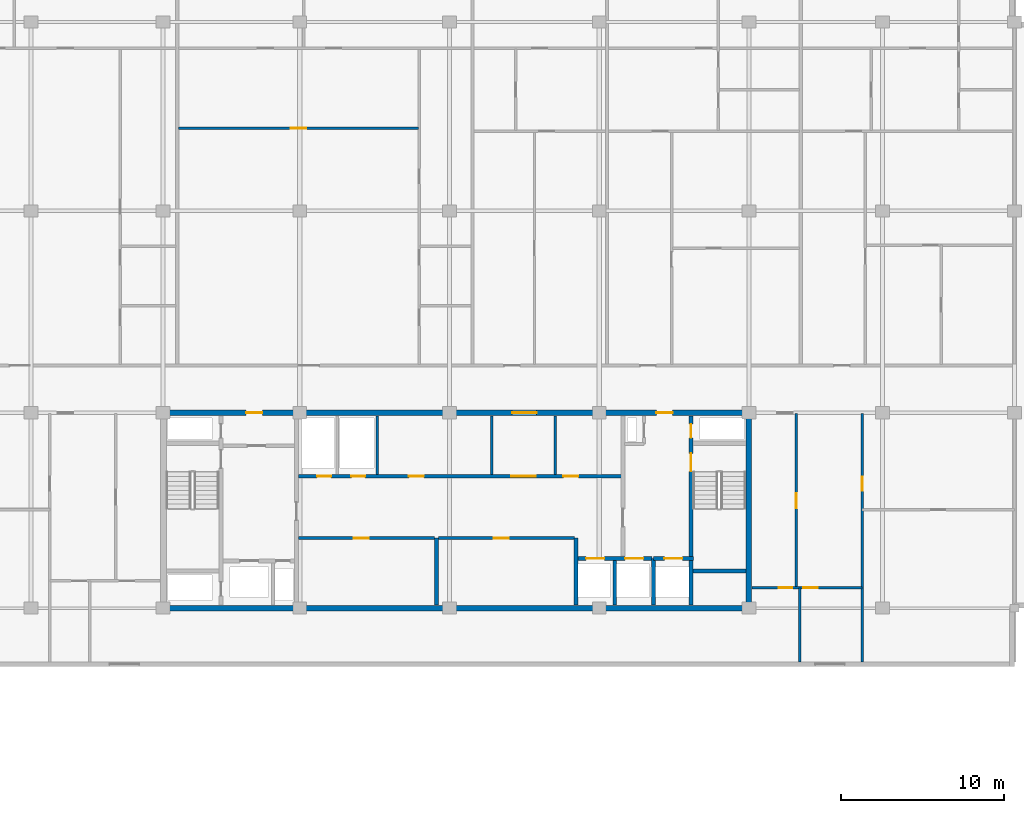
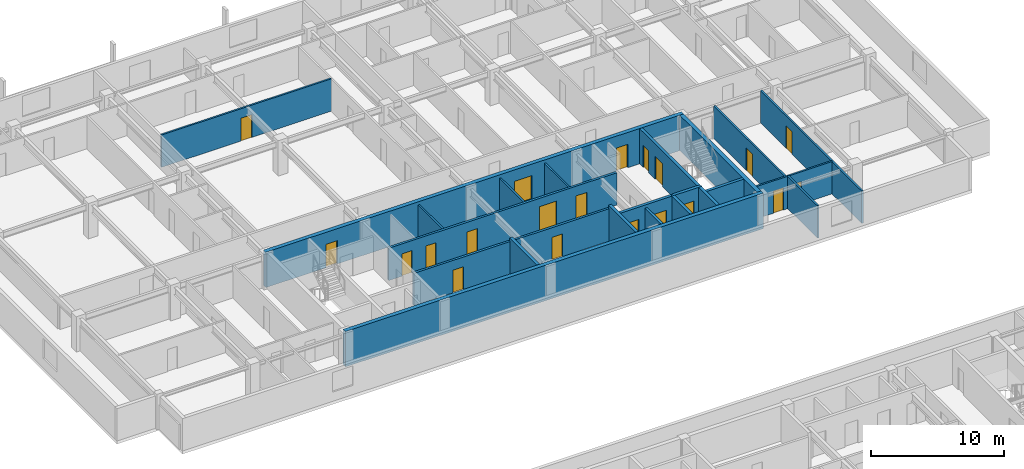
# One storey, part 11 of 21: 22 walls, 20 doors, 20 openings.
"""IFC4 building model written with IfcOpenShell, lengths in metres."""

from ifc_helpers import new_model, si_unit, direction, frame, frame_2d, origin, place, context, subcontext, project, spatial, rectangle, extrude, material, layer, layer_set, type_object, element, fill, save


model = new_model("IFC4")

# Units and contexts
model_context = context("Model", 3, precision=1e-05, world=origin(), true_north=direction((0.0, 1.0)))
body_context = subcontext(model_context, "Body", "Model", "MODEL_VIEW")
ifc_project = project(units=[si_unit("LENGTHUNIT", "METRE"), si_unit("AREAUNIT", "SQUARE_METRE"), si_unit("VOLUMEUNIT", "CUBIC_METRE"), si_unit("PLANEANGLEUNIT", "RADIAN"), si_unit("MASSUNIT", "GRAM", prefix="KILO")], contexts=[model_context])

# Site, building, storey
site_placement = place(None, origin())
site = spatial("IfcSite", under=ifc_project, at=site_placement, CompositionType="ELEMENT")
building_placement = place(site_placement, origin())
building = spatial("IfcBuilding", under=site, at=building_placement, Name="Korimba Cascade Residences", CompositionType="ELEMENT")
storey_placement = place(building_placement, frame((0.0, 0.0, 188.10009765625)))
storey = spatial("IfcBuildingStorey", under=building, at=storey_placement, Name="L54", CompositionType="ELEMENT", Elevation=188.10009765625)

# Walls
ifc_material_1 = material(Name="Concrete C65/80", Category="concrete")
ifc_layer_1 = layer(ifc_material_1, 0.35009765625)
ifc_layer_set_1 = layer_set([ifc_layer_1], Name="Concrete C65/80")
wall_type_1 = type_object("IfcWallType", Name="WAL-CORE-350", PredefinedType="SHEAR", material=ifc_layer_set_1)
wall_1_placement = place(storey_placement, frame((75.949951171875, 55.199951171875, 0.0), z_axis=(0.0, 0.0, 1.0), x_axis=(1.0, 0.0, 0.0)))
element("IfcWall", 1, at=wall_1_placement, inside=storey, type_object=wall_type_1, Name="L54 Core Shear Wall CW-L54-T1-S", PredefinedType="SHEAR", context=body_context, shape_type="SweptSolid", body=[
    extrude(rectangle(XDim=36.300048828125, YDim=0.35009765625, at=frame_2d((18.14990234375, 0.0))), origin(), (0.0, 0.0, 1.0), 3.25),
])
wall_2_placement = place(storey_placement, frame((112.074951171875, 55.375, 0.0), z_axis=(0.0, 0.0, 1.0), x_axis=(0.0, 1.0, 0.0)))
element("IfcWall", 2, at=wall_2_placement, inside=storey, type_object=wall_type_1, Name="L54 Core Shear Wall CW-L54-T1-E", PredefinedType="SHEAR", context=body_context, shape_type="SweptSolid", body=[
    extrude(rectangle(XDim=11.64990234375, YDim=0.35009765625, at=frame_2d((5.824951171875, 0.0))), origin(), (0.0, 0.0, 1.0), 3.25),
])

# Wall, openings, doors
wall_3_placement = place(storey_placement, frame((75.949951171875, 67.199951171875, 0.0), z_axis=(0.0, 0.0, 1.0), x_axis=(1.0, 0.0, 0.0)))
wall_3 = element("IfcWall", 3, at=wall_3_placement, inside=storey, type_object=wall_type_1, Name="L54 Core Shear Wall CW-L54-T1-N", PredefinedType="SHEAR", context=body_context, shape_type="SweptSolid", body=[
    extrude(rectangle(XDim=36.300048828125, YDim=0.35009765625, at=frame_2d((18.14990234375, 0.0))), origin(), (0.0, 0.0, 1.0), 3.25),
])
opening_1_placement = place(wall_3_placement, frame((5.25, 0.0, 0.0)))
opening_1 = element("IfcOpeningElement", 4, at=opening_1_placement, cuts=wall_3, Name="Opening D-FD5", PredefinedType="OPENING", context=body_context, shape_type="SweptSolid", body=[
    extrude(rectangle(XDim=1.0, YDim=2.14990234375, at=frame_2d((0.5, 1.074951171875))), frame((0.0, 0.18505859375, 0.0), z_axis=(0.0, -1.0, 0.0), x_axis=(1.0, 0.0, 0.0)), (0.0, 0.0, 1.0), 0.3701171875),
])
opening_2_placement = place(wall_3_placement, frame((21.60009765625, 0.0, 0.0)))
opening_2 = element("IfcOpeningElement", 5, at=opening_2_placement, cuts=wall_3, Name="Opening D-FD8", PredefinedType="OPENING", context=body_context, shape_type="SweptSolid", body=[
    extrude(rectangle(XDim=1.5, YDim=2.199951171875, at=frame_2d((0.75, 1.10009765625))), frame((0.0, 0.18505859375, 0.0), z_axis=(0.0, -1.0, 0.0), x_axis=(1.0, 0.0, 0.0)), (0.0, 0.0, 1.0), 0.3701171875),
])
opening_3_placement = place(wall_3_placement, frame((30.449951171875, 0.0, 0.0)))
opening_3 = element("IfcOpeningElement", 6, at=opening_3_placement, cuts=wall_3, Name="Opening D-FD5", PredefinedType="OPENING", context=body_context, shape_type="SweptSolid", body=[
    extrude(rectangle(XDim=1.0, YDim=2.14990234375, at=frame_2d((0.5, 1.074951171875))), frame((0.0, 0.18505859375, 0.0), z_axis=(0.0, -1.0, 0.0), x_axis=(1.0, 0.0, 0.0)), (0.0, 0.0, 1.0), 0.3701171875),
])
ifc_material_2 = material(Name="Fire-Rated Acoustic Timber Vestibule Door", Category="wood")
door_type_1 = type_object("IfcDoorType", Name="DR-FD90-1000", OperationType="NOTDEFINED", PredefinedType="DOOR", material=ifc_material_2)
door_1_placement = place(opening_1_placement, origin())
door_1 = element("IfcDoor", 7, at=door_1_placement, inside=storey, type_object=door_type_1, Name="L54 T1 West Core Vestibule Fire Door", OperationType="SINGLE_SWING_RIGHT", OverallHeight=2.14990234375, OverallWidth=1.0, PredefinedType="DOOR", context=body_context, shape_type="SweptSolid", body=[
    extrude(rectangle(XDim=1.0, YDim=2.14990234375, at=frame_2d((0.5, 1.074951171875))), frame((0.0, 0.02490234375, 0.0), z_axis=(0.0, -1.0, 0.0), x_axis=(1.0, 0.0, 0.0)), (0.0, 0.0, 1.0), 0.050048828125),
])
fill(opening_1, door_1)
door_2_placement = place(opening_3_placement, origin())
door_2 = element("IfcDoor", 8, at=door_2_placement, inside=storey, type_object=door_type_1, Name="L54 T1 East Firefighting Vestibule Fire Door", OperationType="SINGLE_SWING_LEFT", OverallHeight=2.14990234375, OverallWidth=1.0, PredefinedType="DOOR", context=body_context, shape_type="SweptSolid", body=[
    extrude(rectangle(XDim=1.0, YDim=2.14990234375, at=frame_2d((0.5, 1.074951171875))), frame((0.0, 0.02490234375, 0.0), z_axis=(0.0, -1.0, 0.0), x_axis=(1.0, 0.0, 0.0)), (0.0, 0.0, 1.0), 0.050048828125),
])
fill(opening_3, door_2)
ifc_material_3 = material(Name="Fire-Rated Glazed Lift Lobby Double Door", Category="glass")
door_type_2 = type_object("IfcDoorType", Name="DR-FD90-1500", OperationType="NOTDEFINED", PredefinedType="DOOR", material=ifc_material_3)
door_3_placement = place(opening_2_placement, origin())
door_3 = element("IfcDoor", 9, at=door_3_placement, inside=storey, type_object=door_type_2, Name="L54 T1 Lift Lobby Fire Door", OperationType="DOUBLE_DOOR_SINGLE_SWING", OverallHeight=2.199951171875, OverallWidth=1.5, PredefinedType="DOOR", context=body_context, shape_type="SweptSolid", body=[
    extrude(rectangle(XDim=1.5, YDim=2.199951171875, at=frame_2d((0.75, 1.10009765625))), frame((0.0, 0.02490234375, 0.0), z_axis=(0.0, -1.0, 0.0), x_axis=(1.0, 0.0, 0.0)), (0.0, 0.0, 1.0), 0.050048828125),
])
fill(opening_2, door_3)

# Walls
ifc_material_4 = material(Name="Insulated Acoustic Stud Partition", Category="gypsum")
ifc_layer_2 = layer(ifc_material_4, 0.14990234375)
ifc_layer_set_2 = layer_set([ifc_layer_2], Name="Insulated Acoustic Stud Partition")
wall_type_2 = type_object("IfcWallType", Name="WAL-PART-150", PredefinedType="PARTITIONING", material=ifc_layer_set_2)
for number, where, z_axis, x_axis, name in (
    (10, (89.25, 63.39990234375, 0.0), (0.0, 0.0, 1.0), (0.0, 1.0, 0.0), "L54 Partition Wall CW-L54-T1-PRDIV"),
    (11, (96.300048828125, 63.39990234375, 0.0), (0.0, 0.0, 1.0), (0.0, 1.0, 0.0), "L54 Partition Wall CW-L54-T1-THW"),
    (12, (100.199951171875, 63.39990234375, 0.0), (0.0, 0.0, 1.0), (0.0, 1.0, 0.0), "L54 Partition Wall CW-L54-T1-THE"),
):
    element("IfcWall", number, at=place(storey_placement, frame(where, z_axis=z_axis, x_axis=x_axis)), inside=storey, type_object=wall_type_2, Name=name, PredefinedType="PARTITIONING", context=body_context, shape_type="SweptSolid", body=[
        extrude(rectangle(XDim=3.60009765625, YDim=0.14990234375, at=frame_2d((1.800048828125, 0.0))), origin(), (0.0, 0.0, 1.0), 2.969970703125),
    ])

# Wall, opening, door
wall_4_placement = place(storey_placement, frame((119.050048828125, 51.89990234375, 0.0), z_axis=(0.0, 0.0, 1.0), x_axis=(0.0, 1.0, 0.0)))
wall_4 = element("IfcWall", 13, at=wall_4_placement, inside=storey, type_object=wall_type_2, Name="L54 Partition Wall WAL-L54-T1-FE-STV", PredefinedType="PARTITIONING", context=body_context, shape_type="SweptSolid", body=[
    extrude(rectangle(XDim=15.25, YDim=0.14990234375, at=frame_2d((7.625, 0.0))), origin(), (0.0, 0.0, 1.0), 2.969970703125),
])
opening_4_placement = place(wall_4_placement, frame((10.5, 0.0, 0.0)))
opening_4 = element("IfcOpeningElement", 14, at=opening_4_placement, cuts=wall_4, Name="Opening D-IN2", PredefinedType="OPENING", context=body_context, shape_type="SweptSolid", body=[
    extrude(rectangle(XDim=0.8798828125, YDim=2.06005859375, at=frame_2d((0.43994140625, 1.030029296875))), frame((0.0, 0.0849609375, 0.0), z_axis=(0.0, -1.0, 0.0), x_axis=(1.0, 0.0, 0.0)), (0.0, 0.0, 1.0), 0.169921875),
])
ifc_material_5 = material(Name="Acoustic Timber Bedroom Door", Category="wood")
door_type_3 = type_object("IfcDoorType", Name="DR-INT-880", OperationType="NOTDEFINED", PredefinedType="DOOR", material=ifc_material_5)
door_4_placement = place(opening_4_placement, origin())
door_4 = element("IfcDoor", 15, at=door_4_placement, inside=storey, type_object=door_type_3, Name="L54-T1-FE Study Door", OperationType="SINGLE_SWING_LEFT", OverallHeight=2.06005859375, OverallWidth=0.8798828125, PredefinedType="DOOR", context=body_context, shape_type="SweptSolid", body=[
    extrude(rectangle(XDim=0.8798828125, YDim=2.06005859375, at=frame_2d((0.43994140625, 1.030029296875))), frame((0.0, 0.02490234375, 0.0), z_axis=(0.0, -1.0, 0.0), x_axis=(1.0, 0.0, 0.0)), (0.0, 0.0, 1.0), 0.050048828125),
])
fill(opening_4, door_4)

wall_5_placement = place(storey_placement, frame((115.0, 56.449951171875, 0.0), z_axis=(0.0, 0.0, 1.0), x_axis=(0.0, 1.0, 0.0)))
wall_5 = element("IfcWall", 16, at=wall_5_placement, inside=storey, type_object=wall_type_2, Name="L54 Partition Wall WAL-L54-T1-FE-VN", PredefinedType="PARTITIONING", context=body_context, shape_type="SweptSolid", body=[
    extrude(rectangle(XDim=10.699951171875, YDim=0.14990234375, at=frame_2d((5.35009765625, 0.0))), origin(), (0.0, 0.0, 1.0), 2.969970703125),
])
opening_5_placement = place(wall_5_placement, frame((4.889892578125, 0.0, 0.0)))
opening_5 = element("IfcOpeningElement", 17, at=opening_5_placement, cuts=wall_5, Name="Opening D-IN1", PredefinedType="OPENING", context=body_context, shape_type="SweptSolid", body=[
    extrude(rectangle(XDim=0.919921875, YDim=2.080078125, at=frame_2d((0.4599609375, 1.0400390625))), frame((0.0, 0.0849609375, 0.0), z_axis=(0.0, -1.0, 0.0), x_axis=(1.0, 0.0, 0.0)), (0.0, 0.0, 1.0), 0.169921875),
])
ifc_material_6 = material(Name="Acoustic Timber Living Door", Category="wood")
door_type_4 = type_object("IfcDoorType", Name="DR-INT-920", OperationType="NOTDEFINED", PredefinedType="DOOR", material=ifc_material_6)
door_5_placement = place(opening_5_placement, origin())
door_5 = element("IfcDoor", 18, at=door_5_placement, inside=storey, type_object=door_type_4, Name="L54-T1-FE Living Door", OperationType="SINGLE_SWING_RIGHT", OverallHeight=2.080078125, OverallWidth=0.919921875, PredefinedType="DOOR", context=body_context, shape_type="SweptSolid", body=[
    extrude(rectangle(XDim=0.919921875, YDim=2.080078125, at=frame_2d((0.4599609375, 1.0400390625))), frame((0.0, 0.02490234375, 0.0), z_axis=(0.0, -1.0, 0.0), x_axis=(1.0, 0.0, 0.0)), (0.0, 0.0, 1.0), 0.050048828125),
])
fill(opening_5, door_5)

# Wall
wall_6_placement = place(storey_placement, frame((115.199951171875, 51.89990234375, 0.0), z_axis=(0.0, 0.0, 1.0), x_axis=(0.0, 1.0, 0.0)))
element("IfcWall", 19, at=wall_6_placement, inside=storey, type_object=wall_type_2, Name="L54 Partition Wall WAL-L54-T1-FE-VS", PredefinedType="PARTITIONING", context=body_context, shape_type="SweptSolid", body=[
    extrude(rectangle(XDim=4.550048828125, YDim=0.14990234375, at=frame_2d((2.27490234375, 0.0))), origin(), (0.0, 0.0, 1.0), 2.969970703125),
])

# Wall, openings, doors
wall_7_placement = place(storey_placement, frame((112.27001953125, 56.449951171875, 0.0), z_axis=(0.0, 0.0, 1.0), x_axis=(1.0, 0.0, 0.0)))
wall_7 = element("IfcWall", 20, at=wall_7_placement, inside=storey, type_object=wall_type_2, Name="L54 Partition Wall WAL-L54-T1-FE-H", PredefinedType="PARTITIONING", context=body_context, shape_type="SweptSolid", body=[
    extrude(rectangle(XDim=6.760009765625, YDim=0.14990234375, at=frame_2d((3.3798828125, 0.0))), origin(), (0.0, 0.0, 1.0), 2.969970703125),
])
opening_6_placement = place(wall_7_placement, frame((1.6396484375, 0.0, 0.0)))
opening_6 = element("IfcOpeningElement", 21, at=opening_6_placement, cuts=wall_7, Name="Opening D-BT1", PredefinedType="OPENING", context=body_context, shape_type="SweptSolid", body=[
    extrude(rectangle(XDim=0.840087890625, YDim=2.0400390625, at=frame_2d((0.419921875, 1.02001953125))), frame((0.0, 0.0849609375, 0.0), z_axis=(0.0, -1.0, 0.0), x_axis=(1.0, 0.0, 0.0)), (0.0, 0.0, 1.0), 0.169921875),
])
opening_7_placement = place(wall_7_placement, frame((3.160400390625, 0.0, 0.0)))
opening_7 = element("IfcOpeningElement", 22, at=opening_7_placement, cuts=wall_7, Name="Opening D-IN2", PredefinedType="OPENING", context=body_context, shape_type="SweptSolid", body=[
    extrude(rectangle(XDim=0.8798828125, YDim=2.06005859375, at=frame_2d((0.43994140625, 1.030029296875))), frame((0.0, 0.0849609375, 0.0), z_axis=(0.0, -1.0, 0.0), x_axis=(1.0, 0.0, 0.0)), (0.0, 0.0, 1.0), 0.169921875),
])
ifc_material_7 = material(Name="Moisture-Resistant Bathroom Timber Door", Category="wood")
door_type_5 = type_object("IfcDoorType", Name="DR-INT-850", OperationType="NOTDEFINED", PredefinedType="DOOR", material=ifc_material_7)
door_6_placement = place(opening_6_placement, origin())
door_6 = element("IfcDoor", 23, at=door_6_placement, inside=storey, type_object=door_type_5, Name="L54-T1-FE Bathroom Door", OperationType="SINGLE_SWING_LEFT", OverallHeight=2.0400390625, OverallWidth=0.840087890625, PredefinedType="DOOR", context=body_context, shape_type="SweptSolid", body=[
    extrude(rectangle(XDim=0.840087890625, YDim=2.0400390625, at=frame_2d((0.419921875, 1.02001953125))), frame((0.0, 0.02490234375, 0.0), z_axis=(0.0, -1.0, 0.0), x_axis=(1.0, 0.0, 0.0)), (0.0, 0.0, 1.0), 0.050048828125),
])
fill(opening_6, door_6)
door_7_placement = place(opening_7_placement, origin())
door_7 = element("IfcDoor", 24, at=door_7_placement, inside=storey, type_object=door_type_3, Name="L54-T1-FE Bedroom Door", OperationType="SINGLE_SWING_RIGHT", OverallHeight=2.06005859375, OverallWidth=0.8798828125, PredefinedType="DOOR", context=body_context, shape_type="SweptSolid", body=[
    extrude(rectangle(XDim=0.8798828125, YDim=2.06005859375, at=frame_2d((0.43994140625, 1.030029296875))), frame((0.0, 0.02490234375, 0.0), z_axis=(0.0, -1.0, 0.0), x_axis=(1.0, 0.0, 0.0)), (0.0, 0.0, 1.0), 0.050048828125),
])
fill(opening_7, door_7)

# Wall, opening, door
wall_8_placement = place(storey_placement, frame((77.048095703125, 84.679931640625, 0.0), z_axis=(0.0, 0.0, 1.0), x_axis=(1.0, 0.0, 0.0)))
wall_8 = element("IfcWall", 25, at=wall_8_placement, inside=storey, type_object=wall_type_2, Name="L54 Partition Wall WAL-L54-T1-U02-CARH", PredefinedType="PARTITIONING", context=body_context, shape_type="SweptSolid", body=[
    extrude(rectangle(XDim=14.75341796875, YDim=0.14990234375, at=frame_2d((7.376708984375, 0.0))), origin(), (0.0, 0.0, 1.0), 2.969970703125),
])
opening_8_placement = place(wall_8_placement, frame((6.906494140625, 0.0, 0.0)))
opening_8 = element("IfcOpeningElement", 26, at=opening_8_placement, cuts=wall_8, Name="Opening D-IN0", PredefinedType="OPENING", context=body_context, shape_type="SweptSolid", body=[
    extrude(rectangle(XDim=0.93994140625, YDim=2.10009765625, at=frame_2d((0.469970703125, 1.050048828125))), frame((0.0, 0.0849609375, 0.0), z_axis=(0.0, -1.0, 0.0), x_axis=(1.0, 0.0, 0.0)), (0.0, 0.0, 1.0), 0.169921875),
])
ifc_material_8 = material(Name="Acoustic Timber Living Archway Door", Category="wood")
door_type_6 = type_object("IfcDoorType", Name="DR-INT-950", OperationType="NOTDEFINED", PredefinedType="DOOR", material=ifc_material_8)
door_8_placement = place(opening_8_placement, origin())
door_8 = element("IfcDoor", 27, at=door_8_placement, inside=storey, type_object=door_type_6, Name="L54-T1-U02 Wellness Clinic Foyer Door", OperationType="SINGLE_SWING_LEFT", OverallHeight=2.10009765625, OverallWidth=0.93994140625, PredefinedType="DOOR", context=body_context, shape_type="SweptSolid", body=[
    extrude(rectangle(XDim=0.93994140625, YDim=2.10009765625, at=frame_2d((0.469970703125, 1.050048828125))), frame((0.0, 0.02490234375, 0.0), z_axis=(0.0, -1.0, 0.0), x_axis=(1.0, 0.0, 0.0)), (0.0, 0.0, 1.0), 0.050048828125),
])
fill(opening_8, door_8)

ifc_material_9 = material(Name="Concrete C40/50", Category="concrete")
ifc_layer_3 = layer(ifc_material_9, 0.199951171875)
ifc_layer_set_3 = layer_set([ifc_layer_3], Name="Concrete C40/50")
wall_type_3 = type_object("IfcWallType", Name="WAL-PART-200", PredefinedType="PARTITIONING", material=ifc_layer_set_3)
wall_9_placement = place(storey_placement, frame((84.419921875, 59.5, 0.0), z_axis=(0.0, 0.0, 1.0), x_axis=(1.0, 0.0, 0.0)))
wall_9 = element("IfcWall", 28, at=wall_9_placement, inside=storey, type_object=wall_type_3, Name="L54 Partition Wall CW-L54-T1-B1RN", PredefinedType="PARTITIONING", context=body_context, shape_type="SweptSolid", body=[
    extrude(rectangle(XDim=8.360107421875, YDim=0.199951171875, at=frame_2d((4.18017578125, 0.0))), origin(), (0.0, 0.0, 1.0), 2.969970703125),
])
opening_9_placement = place(wall_9_placement, frame((3.39990234375, 0.0, 0.0)))
opening_9 = element("IfcOpeningElement", 29, at=opening_9_placement, cuts=wall_9, Name="Opening D-ST1", PredefinedType="OPENING", context=body_context, shape_type="SweptSolid", body=[
    extrude(rectangle(XDim=0.919921875, YDim=2.080078125, at=frame_2d((0.4599609375, 1.0400390625))), frame((0.0, 0.10986328125, 0.0), z_axis=(0.0, -1.0, 0.0), x_axis=(1.0, 0.0, 0.0)), (0.0, 0.0, 1.0), 0.219970703125),
])
ifc_material_10 = material(Name="Fire-Rated Core Store Door", Category="wood")
door_type_7 = type_object("IfcDoorType", Name="DR-FD60-920", OperationType="NOTDEFINED", PredefinedType="DOOR", material=ifc_material_10)
door_9_placement = place(opening_9_placement, origin())
door_9 = element("IfcDoor", 30, at=door_9_placement, inside=storey, type_object=door_type_7, Name="L54 Resident Storage Door", OperationType="SINGLE_SWING_RIGHT", OverallHeight=2.080078125, OverallWidth=0.919921875, PredefinedType="DOOR", context=body_context, shape_type="SweptSolid", body=[
    extrude(rectangle(XDim=0.919921875, YDim=2.080078125, at=frame_2d((0.4599609375, 1.0400390625))), frame((0.0, 0.02490234375, 0.0), z_axis=(0.0, -1.0, 0.0), x_axis=(1.0, 0.0, 0.0)), (0.0, 0.0, 1.0), 0.050048828125),
])
fill(opening_9, door_9)

wall_10_placement = place(storey_placement, frame((93.02001953125, 59.5, 0.0), z_axis=(0.0, 0.0, 1.0), x_axis=(1.0, 0.0, 0.0)))
wall_10 = element("IfcWall", 31, at=wall_10_placement, inside=storey, type_object=wall_type_3, Name="L54 Partition Wall CW-L54-T1-B2RN", PredefinedType="PARTITIONING", context=body_context, shape_type="SweptSolid", body=[
    extrude(rectangle(XDim=8.35986328125, YDim=0.199951171875, at=frame_2d((4.179931640625, 0.0))), origin(), (0.0, 0.0, 1.0), 2.969970703125),
])
opening_10_placement = place(wall_10_placement, frame((3.39990234375, 0.0, 0.0)))
opening_10 = element("IfcOpeningElement", 32, at=opening_10_placement, cuts=wall_10, Name="Opening D-ST1", PredefinedType="OPENING", context=body_context, shape_type="SweptSolid", body=[
    extrude(rectangle(XDim=0.919921875, YDim=2.080078125, at=frame_2d((0.4599609375, 1.0400390625))), frame((0.0, 0.10986328125, 0.0), z_axis=(0.0, -1.0, 0.0), x_axis=(1.0, 0.0, 0.0)), (0.0, 0.0, 1.0), 0.219970703125),
])
door_10_placement = place(opening_10_placement, origin())
door_10 = element("IfcDoor", 33, at=door_10_placement, inside=storey, type_object=door_type_7, Name="L54 Wine Cellar Store Door", OperationType="SINGLE_SWING_LEFT", OverallHeight=2.080078125, OverallWidth=0.919921875, PredefinedType="DOOR", context=body_context, shape_type="SweptSolid", body=[
    extrude(rectangle(XDim=0.919921875, YDim=2.080078125, at=frame_2d((0.4599609375, 1.0400390625))), frame((0.0, 0.02490234375, 0.0), z_axis=(0.0, -1.0, 0.0), x_axis=(1.0, 0.0, 0.0)), (0.0, 0.0, 1.0), 0.050048828125),
])
fill(opening_10, door_10)

# Wall
wall_11_placement = place(storey_placement, frame((103.85009765625, 55.39990234375, 0.0), z_axis=(0.0, 0.0, 1.0), x_axis=(0.0, 1.0, 0.0)))
element("IfcWall", 34, at=wall_11_placement, inside=storey, type_object=wall_type_3, Name="L54 Partition Wall CW-L54-T1-B3D1", PredefinedType="PARTITIONING", context=body_context, shape_type="SweptSolid", body=[
    extrude(rectangle(XDim=2.72021484375, YDim=0.199951171875, at=frame_2d((1.360107421875, 0.0))), origin(), (0.0, 0.0, 1.0), 2.969970703125),
])

# Wall, openings, doors
wall_12_placement = place(storey_placement, frame((84.419921875, 63.300048828125, 0.0), z_axis=(0.0, 0.0, 1.0), x_axis=(1.0, 0.0, 0.0)))
wall_12 = element("IfcWall", 35, at=wall_12_placement, inside=storey, type_object=wall_type_3, Name="L54 Partition Wall CW-L54-T1-SRVROW", PredefinedType="PARTITIONING", context=body_context, shape_type="SweptSolid", body=[
    extrude(rectangle(XDim=19.830078125, YDim=0.199951171875, at=frame_2d((9.9150390625, 0.0))), origin(), (0.0, 0.0, 1.0), 2.969970703125),
])
opening_11_placement = place(wall_12_placement, frame((1.14990234375, 0.0, 0.0)))
opening_11 = element("IfcOpeningElement", 36, at=opening_11_placement, cuts=wall_12, Name="Opening D-RS1", PredefinedType="OPENING", context=body_context, shape_type="SweptSolid", body=[
    extrude(rectangle(XDim=0.85009765625, YDim=2.050048828125, at=frame_2d((0.425048828125, 1.02490234375))), frame((0.0, 0.10986328125, 0.0), z_axis=(0.0, -1.0, 0.0), x_axis=(1.0, 0.0, 0.0)), (0.0, 0.0, 1.0), 0.219970703125),
])
opening_12_placement = place(wall_12_placement, frame((3.25, 0.0, 0.0)))
opening_12 = element("IfcOpeningElement", 37, at=opening_12_placement, cuts=wall_12, Name="Opening D-RS1", PredefinedType="OPENING", context=body_context, shape_type="SweptSolid", body=[
    extrude(rectangle(XDim=0.85009765625, YDim=2.050048828125, at=frame_2d((0.425048828125, 1.02490234375))), frame((0.0, 0.10986328125, 0.0), z_axis=(0.0, -1.0, 0.0), x_axis=(1.0, 0.0, 0.0)), (0.0, 0.0, 1.0), 0.219970703125),
])
opening_13_placement = place(wall_12_placement, frame((13.080078125, 0.0, 0.0)))
opening_13 = element("IfcOpeningElement", 38, at=opening_13_placement, cuts=wall_12, Name="Opening D-FD8", PredefinedType="OPENING", context=body_context, shape_type="SweptSolid", body=[
    extrude(rectangle(XDim=1.5, YDim=2.199951171875, at=frame_2d((0.75, 1.10009765625))), frame((0.0, 0.10986328125, 0.0), z_axis=(0.0, -1.0, 0.0), x_axis=(1.0, 0.0, 0.0)), (0.0, 0.0, 1.0), 0.219970703125),
])
opening_14_placement = place(wall_12_placement, frame((6.780029296875, 0.0, 0.0)))
opening_14 = element("IfcOpeningElement", 39, at=opening_14_placement, cuts=wall_12, Name="Opening D-IN1", PredefinedType="OPENING", context=body_context, shape_type="SweptSolid", body=[
    extrude(rectangle(XDim=0.919921875, YDim=2.080078125, at=frame_2d((0.4599609375, 1.0400390625))), frame((0.0, 0.10986328125, 0.0), z_axis=(0.0, -1.0, 0.0), x_axis=(1.0, 0.0, 0.0)), (0.0, 0.0, 1.0), 0.219970703125),
])
opening_15_placement = place(wall_12_placement, frame((16.280029296875, 0.0, 0.0)))
opening_15 = element("IfcOpeningElement", 40, at=opening_15_placement, cuts=wall_12, Name="Opening D-IN1", PredefinedType="OPENING", context=body_context, shape_type="SweptSolid", body=[
    extrude(rectangle(XDim=0.919921875, YDim=2.080078125, at=frame_2d((0.4599609375, 1.0400390625))), frame((0.0, 0.10986328125, 0.0), z_axis=(0.0, -1.0, 0.0), x_axis=(1.0, 0.0, 0.0)), (0.0, 0.0, 1.0), 0.219970703125),
])
ifc_material_11 = material(Name="Fire-Rated Steel Riser Access Door", Category="steel")
door_type_8 = type_object("IfcDoorType", Name="DR-FD60-850", OperationType="NOTDEFINED", PredefinedType="DOOR", material=ifc_material_11)
door_11_placement = place(opening_11_placement, origin())
door_11 = element("IfcDoor", 41, at=door_11_placement, inside=storey, type_object=door_type_8, Name="L54 Electrical Riser Door", OperationType="SINGLE_SWING_RIGHT", OverallHeight=2.050048828125, OverallWidth=0.85009765625, PredefinedType="DOOR", context=body_context, shape_type="SweptSolid", body=[
    extrude(rectangle(XDim=0.85009765625, YDim=2.050048828125, at=frame_2d((0.425048828125, 1.02490234375))), frame((0.0, 0.02490234375, 0.0), z_axis=(0.0, -1.0, 0.0), x_axis=(1.0, 0.0, 0.0)), (0.0, 0.0, 1.0), 0.050048828125),
])
fill(opening_11, door_11)
door_12_placement = place(opening_12_placement, origin())
door_12 = element("IfcDoor", 42, at=door_12_placement, inside=storey, type_object=door_type_8, Name="L54 Plumbing Riser Door", OperationType="SINGLE_SWING_LEFT", OverallHeight=2.050048828125, OverallWidth=0.85009765625, PredefinedType="DOOR", context=body_context, shape_type="SweptSolid", body=[
    extrude(rectangle(XDim=0.85009765625, YDim=2.050048828125, at=frame_2d((0.425048828125, 1.02490234375))), frame((0.0, 0.02490234375, 0.0), z_axis=(0.0, -1.0, 0.0), x_axis=(1.0, 0.0, 0.0)), (0.0, 0.0, 1.0), 0.050048828125),
])
fill(opening_12, door_12)
door_13_placement = place(opening_13_placement, origin())
door_13 = element("IfcDoor", 43, at=door_13_placement, inside=storey, type_object=door_type_2, Name="L54 Lift Lobby Foyer Archway Door", OperationType="DOUBLE_DOOR_SINGLE_SWING", OverallHeight=2.199951171875, OverallWidth=1.5, PredefinedType="DOOR", context=body_context, shape_type="SweptSolid", body=[
    extrude(rectangle(XDim=1.5, YDim=2.199951171875, at=frame_2d((0.75, 1.10009765625))), frame((0.0, 0.02490234375, 0.0), z_axis=(0.0, -1.0, 0.0), x_axis=(1.0, 0.0, 0.0)), (0.0, 0.0, 1.0), 0.050048828125),
])
fill(opening_13, door_13)
door_14_placement = place(opening_14_placement, origin())
door_14 = element("IfcDoor", 44, at=door_14_placement, inside=storey, type_object=door_type_4, Name="L54 Housekeeping Door", OperationType="SINGLE_SWING_RIGHT", OverallHeight=2.080078125, OverallWidth=0.919921875, PredefinedType="DOOR", context=body_context, shape_type="SweptSolid", body=[
    extrude(rectangle(XDim=0.919921875, YDim=2.080078125, at=frame_2d((0.4599609375, 1.0400390625))), frame((0.0, 0.02490234375, 0.0), z_axis=(0.0, -1.0, 0.0), x_axis=(1.0, 0.0, 0.0)), (0.0, 0.0, 1.0), 0.050048828125),
])
fill(opening_14, door_14)
door_15_placement = place(opening_15_placement, origin())
door_15 = element("IfcDoor", 45, at=door_15_placement, inside=storey, type_object=door_type_4, Name="L54 Store Door", OperationType="SINGLE_SWING_LEFT", OverallHeight=2.080078125, OverallWidth=0.919921875, PredefinedType="DOOR", context=body_context, shape_type="SweptSolid", body=[
    extrude(rectangle(XDim=0.919921875, YDim=2.080078125, at=frame_2d((0.4599609375, 1.0400390625))), frame((0.0, 0.02490234375, 0.0), z_axis=(0.0, -1.0, 0.0), x_axis=(1.0, 0.0, 0.0)), (0.0, 0.0, 1.0), 0.050048828125),
])
fill(opening_15, door_15)

# Walls
ifc_material_12 = material(Name="Concrete C50/60", Category="concrete")
ifc_layer_4 = layer(ifc_material_12, 0.25)
ifc_layer_set_4 = layer_set([ifc_layer_4], Name="Concrete C50/60")
wall_type_4 = type_object("IfcWallType", Name="WAL-SHAFT-250", PredefinedType="SHEAR", material=ifc_layer_set_4)
for number, where, z_axis, x_axis, name in (
    (46, (92.89990234375, 55.39990234375, 0.0), (0.0, 0.0, 1.0), (0.0, 1.0, 0.0), "L54 Core Shear Wall CW-L54-T1-B12DIV"),
    (47, (101.47998046875, 55.39990234375, 0.0), (0.0, 0.0, 1.0), (0.0, 1.0, 0.0), "L54 Core Shear Wall CW-L54-T1-B23DIV"),
):
    element("IfcWall", number, at=place(storey_placement, frame(where, z_axis=z_axis, x_axis=x_axis)), inside=storey, type_object=wall_type_4, Name=name, PredefinedType="SHEAR", context=body_context, shape_type="SweptSolid", body=[
        extrude(rectangle(XDim=4.10009765625, YDim=0.25, at=frame_2d((2.050048828125, 0.0))), origin(), (0.0, 0.0, 1.0), 3.25),
    ])

# Wall, openings, doors
wall_13_placement = place(storey_placement, frame((101.550048828125, 58.25, 0.0), z_axis=(0.0, 0.0, 1.0), x_axis=(1.0, 0.0, 0.0)))
wall_13 = element("IfcWall", 48, at=wall_13_placement, inside=storey, type_object=wall_type_4, Name="L54 Core Shear Wall CW-L54-T1-B3N", PredefinedType="SHEAR", context=body_context, shape_type="SweptSolid", body=[
    extrude(rectangle(XDim=4.599853515625, YDim=0.25, at=frame_2d((2.2998046875, 0.0))), origin(), (0.0, 0.0, 1.0), 3.25),
])
opening_16_placement = place(wall_13_placement, frame((0.5400390625, 0.0, 0.0)))
opening_16 = element("IfcOpeningElement", 49, at=opening_16_placement, cuts=wall_13, Name="Opening LD-01", PredefinedType="OPENING", context=body_context, shape_type="SweptSolid", body=[
    extrude(rectangle(XDim=1.1201171875, YDim=2.1201171875, at=frame_2d((0.56005859375, 1.06005859375))), frame((0.0, 0.135009765625, 0.0), z_axis=(0.0, -1.0, 0.0), x_axis=(1.0, 0.0, 0.0)), (0.0, 0.0, 1.0), 0.27001953125),
])
opening_17_placement = place(wall_13_placement, frame((2.93994140625, 0.0, 0.0)))
opening_17 = element("IfcOpeningElement", 50, at=opening_17_placement, cuts=wall_13, Name="Opening LD-01", PredefinedType="OPENING", context=body_context, shape_type="SweptSolid", body=[
    extrude(rectangle(XDim=1.1201171875, YDim=2.1201171875, at=frame_2d((0.56005859375, 1.06005859375))), frame((0.0, 0.135009765625, 0.0), z_axis=(0.0, -1.0, 0.0), x_axis=(1.0, 0.0, 0.0)), (0.0, 0.0, 1.0), 0.27001953125),
])
ifc_material_13 = material(Name="Stainless Steel Lift Landing Sliding Door", Category="steel")
door_type_9 = type_object("IfcDoorType", Name="DR-LIFT-1100", OperationType="NOTDEFINED", PredefinedType="DOOR", material=ifc_material_13)
door_16_placement = place(opening_16_placement, origin())
door_16 = element("IfcDoor", 51, at=door_16_placement, inside=storey, type_object=door_type_9, Name="L54 Lift Landing Door PL-W7", OperationType="SLIDING_TO_LEFT", OverallHeight=2.1201171875, OverallWidth=1.1201171875, PredefinedType="DOOR", context=body_context, shape_type="SweptSolid", body=[
    extrude(rectangle(XDim=1.1201171875, YDim=2.1201171875, at=frame_2d((0.56005859375, 1.06005859375))), frame((0.0, 0.02490234375, 0.0), z_axis=(0.0, -1.0, 0.0), x_axis=(1.0, 0.0, 0.0)), (0.0, 0.0, 1.0), 0.050048828125),
])
fill(opening_16, door_16)
door_17_placement = place(opening_17_placement, origin())
door_17 = element("IfcDoor", 52, at=door_17_placement, inside=storey, type_object=door_type_9, Name="L54 Lift Landing Door PL-W8", OperationType="SLIDING_TO_LEFT", OverallHeight=2.1201171875, OverallWidth=1.1201171875, PredefinedType="DOOR", context=body_context, shape_type="SweptSolid", body=[
    extrude(rectangle(XDim=1.1201171875, YDim=2.1201171875, at=frame_2d((0.56005859375, 1.06005859375))), frame((0.0, 0.02490234375, 0.0), z_axis=(0.0, -1.0, 0.0), x_axis=(1.0, 0.0, 0.0)), (0.0, 0.0, 1.0), 0.050048828125),
])
fill(opening_17, door_17)

# Wall
wall_14_placement = place(storey_placement, frame((106.219970703125, 55.39990234375, 0.0), z_axis=(0.0, 0.0, 1.0), x_axis=(0.0, 1.0, 0.0)))
element("IfcWall", 53, at=wall_14_placement, inside=storey, type_object=wall_type_4, Name="L54 Core Shear Wall CW-L54-T1-FF2W", PredefinedType="SHEAR", context=body_context, shape_type="SweptSolid", body=[
    extrude(rectangle(XDim=2.85009765625, YDim=0.25, at=frame_2d((1.425048828125, 0.0))), origin(), (0.0, 0.0, 1.0), 3.25),
])

# Wall, opening, door
wall_15_placement = place(storey_placement, frame((106.219970703125, 58.25, 0.0), z_axis=(0.0, 0.0, 1.0), x_axis=(1.0, 0.0, 0.0)))
wall_15 = element("IfcWall", 54, at=wall_15_placement, inside=storey, type_object=wall_type_4, Name="L54 Core Shear Wall CW-L54-T1-FF2N", PredefinedType="SHEAR", context=body_context, shape_type="SweptSolid", body=[
    extrude(rectangle(XDim=2.4599609375, YDim=0.25, at=frame_2d((1.22998046875, 0.0))), origin(), (0.0, 0.0, 1.0), 3.25),
])
opening_18_placement = place(wall_15_placement, frame((0.669921875, 0.0, 0.0)))
opening_18 = element("IfcOpeningElement", 55, at=opening_18_placement, cuts=wall_15, Name="Opening LD-01", PredefinedType="OPENING", context=body_context, shape_type="SweptSolid", body=[
    extrude(rectangle(XDim=1.1201171875, YDim=2.1201171875, at=frame_2d((0.56005859375, 1.06005859375))), frame((0.0, 0.135009765625, 0.0), z_axis=(0.0, -1.0, 0.0), x_axis=(1.0, 0.0, 0.0)), (0.0, 0.0, 1.0), 0.27001953125),
])
door_18_placement = place(opening_18_placement, origin())
door_18 = element("IfcDoor", 56, at=door_18_placement, inside=storey, type_object=door_type_9, Name="L54 Firefighting Lift Landing Door FFL-W2", OperationType="SLIDING_TO_RIGHT", OverallHeight=2.1201171875, OverallWidth=1.1201171875, PredefinedType="DOOR", context=body_context, shape_type="SweptSolid", body=[
    extrude(rectangle(XDim=1.1201171875, YDim=2.1201171875, at=frame_2d((0.56005859375, 1.06005859375))), frame((0.0, 0.02490234375, 0.0), z_axis=(0.0, -1.0, 0.0), x_axis=(1.0, 0.0, 0.0)), (0.0, 0.0, 1.0), 0.050048828125),
])
fill(opening_18, door_18)

# Wall, openings, doors
wall_16_placement = place(storey_placement, frame((108.534912109375, 55.39990234375, 0.0), z_axis=(0.0, 0.0, 1.0), x_axis=(0.0, 1.0, 0.0)))
wall_16 = element("IfcWall", 57, at=wall_16_placement, inside=storey, type_object=wall_type_4, Name="L54 Core Shear Wall CW-L54-T1-STW2W", PredefinedType="SHEAR", context=body_context, shape_type="SweptSolid", body=[
    extrude(rectangle(XDim=11.60009765625, YDim=0.25, at=frame_2d((5.800048828125, 0.0))), origin(), (0.0, 0.0, 1.0), 3.25),
])
opening_19_placement = place(wall_16_placement, frame((8.199951171875, 0.0, 0.0)))
opening_19 = element("IfcOpeningElement", 58, at=opening_19_placement, cuts=wall_16, Name="Opening D-FD1", PredefinedType="OPENING", context=body_context, shape_type="SweptSolid", body=[
    extrude(rectangle(XDim=1.10009765625, YDim=2.10009765625, at=frame_2d((0.550048828125, 1.050048828125))), frame((0.0, 0.135009765625, 0.0), z_axis=(0.0, -1.0, 0.0), x_axis=(1.0, 0.0, 0.0)), (0.0, 0.0, 1.0), 0.27001953125),
])
opening_20_placement = place(wall_16_placement, frame((10.25, 0.0, 0.0)))
opening_20 = element("IfcOpeningElement", 59, at=opening_20_placement, cuts=wall_16, Name="Opening D-RS1", PredefinedType="OPENING", context=body_context, shape_type="SweptSolid", body=[
    extrude(rectangle(XDim=0.85009765625, YDim=2.050048828125, at=frame_2d((0.425048828125, 1.02490234375))), frame((0.0, 0.135009765625, 0.0), z_axis=(0.0, -1.0, 0.0), x_axis=(1.0, 0.0, 0.0)), (0.0, 0.0, 1.0), 0.27001953125),
])
ifc_material_14 = material(Name="Fire-Rated Steel Core Door", Category="steel")
door_type_10 = type_object("IfcDoorType", Name="DR-FD120-1100", OperationType="NOTDEFINED", PredefinedType="DOOR", material=ifc_material_14)
door_19_placement = place(opening_19_placement, origin())
door_19 = element("IfcDoor", 60, at=door_19_placement, inside=storey, type_object=door_type_10, Name="L54 Fire Stair ST-W2 Door", OperationType="SINGLE_SWING_RIGHT", OverallHeight=2.10009765625, OverallWidth=1.10009765625, PredefinedType="DOOR", context=body_context, shape_type="SweptSolid", body=[
    extrude(rectangle(XDim=1.10009765625, YDim=2.10009765625, at=frame_2d((0.550048828125, 1.050048828125))), frame((0.0, 0.02490234375, 0.0), z_axis=(0.0, -1.0, 0.0), x_axis=(1.0, 0.0, 0.0)), (0.0, 0.0, 1.0), 0.050048828125),
])
fill(opening_19, door_19)
door_20_placement = place(opening_20_placement, origin())
door_20 = element("IfcDoor", 61, at=door_20_placement, inside=storey, type_object=door_type_8, Name="L54 East Riser Door", OperationType="SINGLE_SWING_LEFT", OverallHeight=2.050048828125, OverallWidth=0.85009765625, PredefinedType="DOOR", context=body_context, shape_type="SweptSolid", body=[
    extrude(rectangle(XDim=0.85009765625, YDim=2.050048828125, at=frame_2d((0.425048828125, 1.02490234375))), frame((0.0, 0.02490234375, 0.0), z_axis=(0.0, -1.0, 0.0), x_axis=(1.0, 0.0, 0.0)), (0.0, 0.0, 1.0), 0.050048828125),
])
fill(opening_20, door_20)

# Wall
wall_17_placement = place(storey_placement, frame((108.659912109375, 57.47509765625, 0.0), z_axis=(0.0, 0.0, 1.0), x_axis=(1.0, 0.0, 0.0)))
element("IfcWall", 62, at=wall_17_placement, inside=storey, type_object=wall_type_4, Name="L54 Core Shear Wall CW-L54-T1-STW2S", PredefinedType="SHEAR", context=body_context, shape_type="SweptSolid", body=[
    extrude(rectangle(XDim=3.239990234375, YDim=0.25, at=frame_2d((1.6201171875, 0.0))), origin(), (0.0, 0.0, 1.0), 3.25),
])

save(model, "model.ifc")
